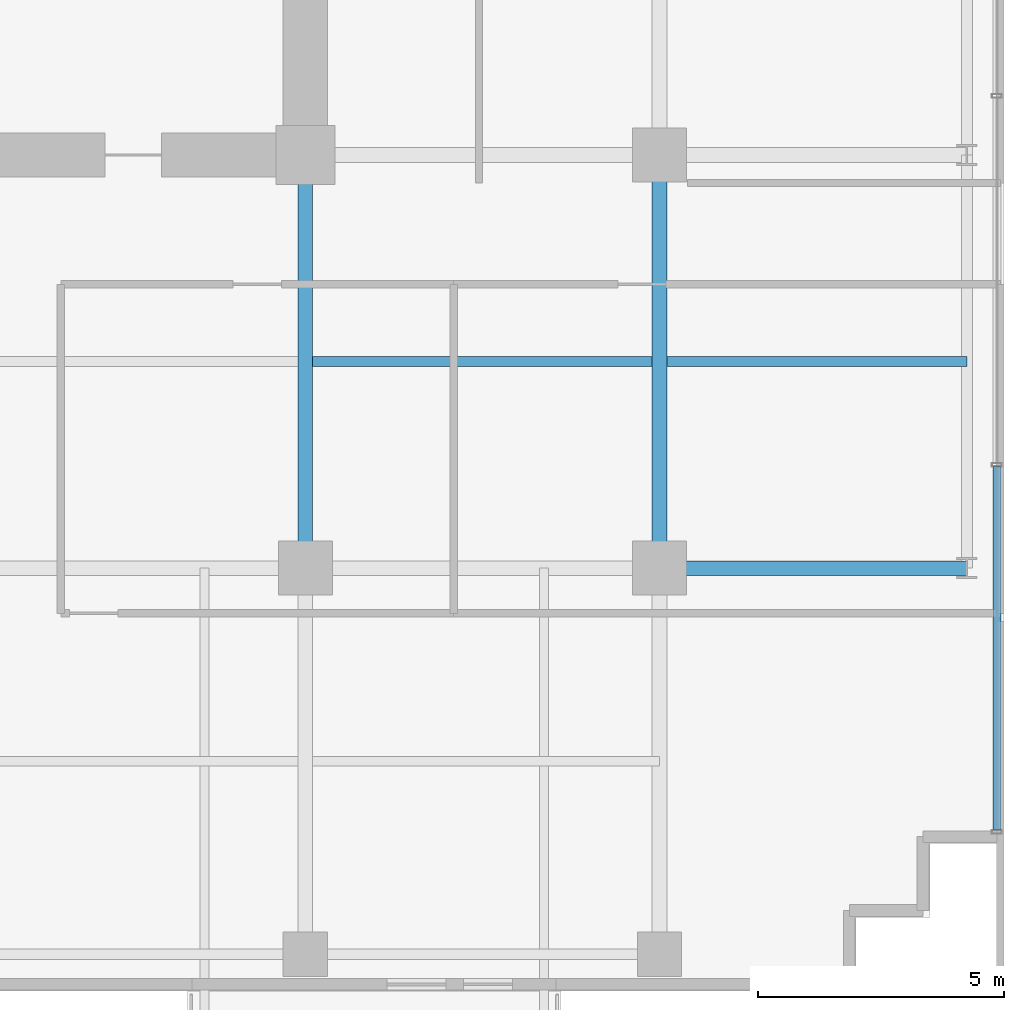
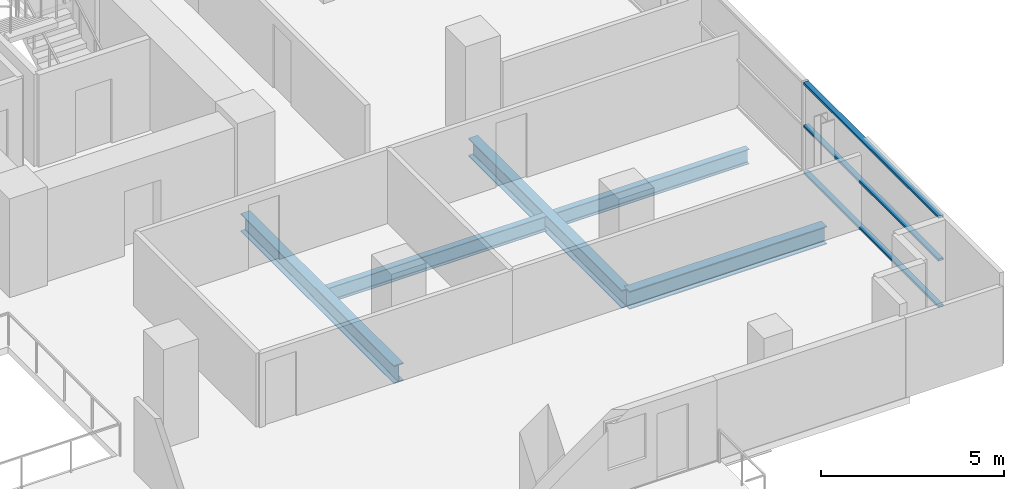
# One storey, part 12 of 30: 5 beams, 3 members, 1 element without a shape of its own.
"""IFC4 building model written with IfcOpenShell, lengths in metres."""

from ifc_helpers import new_model, si_unit, direction, frame, origin, origin_2d, place, context, subcontext, project, spatial, hollow_rectangle, i_section, extrude, source, transform, mapped, material, layer, layer_set, material_profile, profile_set, type_object, element, aggregate, save


model = new_model("IFC4")

# Units and contexts
model_context = context("Model", 3, precision=1e-05, world=origin(), true_north=direction((0.0, 1.0)))
body_context = subcontext(model_context, "Body", "Model", "MODEL_VIEW")
ifc_project = project(units=[si_unit("LENGTHUNIT", "METRE"), si_unit("AREAUNIT", "SQUARE_METRE"), si_unit("VOLUMEUNIT", "CUBIC_METRE"), si_unit("PLANEANGLEUNIT", "RADIAN"), si_unit("MASSUNIT", "GRAM", prefix="KILO")], contexts=[model_context])

# Site, building, storey
site_placement = place(None, origin())
site = spatial("IfcSite", under=ifc_project, at=site_placement, CompositionType="ELEMENT")
building_placement = place(site_placement, origin())
building = spatial("IfcBuilding", under=site, at=building_placement, Name="Zarnakvel Exchange Tower", CompositionType="ELEMENT")
storey_placement = place(building_placement, frame((0.0, 0.0, 34.0)))
storey = spatial("IfcBuildingStorey", under=building, at=storey_placement, Name="L08", CompositionType="ELEMENT", Elevation=34.0)

# Beams
ifc_material_1 = material(Name="Steel S355", Category="steel")
ifc_material_profile_1 = material_profile(ifc_material_1, i_section(OverallWidth=0.199951171875, OverallDepth=0.5, WebThickness=0.01025390625, FlangeThickness=0.01611328125, FilletRadius=0.02099609375, at=origin_2d()))
ifc_profile_set_1 = profile_set([ifc_material_profile_1], Name="Steel S355")
beam_type_1 = type_object("IfcBeamType", Name="B-04", PredefinedType="JOIST", material=ifc_profile_set_1)
beam_1_placement = place(storey_placement, frame((14.550048828125, -5.39990234375, -0.47509765625), z_axis=(1.0, 0.0, 0.0), x_axis=(0.0, 1.0, 0.0)))
element("IfcBeam", 1, at=beam_1_placement, inside=storey, type_object=beam_type_1, Name="L08 Composite Floor Secondary Joist", PredefinedType="JOIST", context=body_context, shape_type="SweptSolid", body=[
    extrude(i_section(OverallWidth=0.199951171875, OverallDepth=0.5, WebThickness=0.01025390625, FlangeThickness=0.01611328125, FilletRadius=0.02099609375, at=origin_2d()), origin(), (0.0, 0.0, 1.0), 6.89990234375),
])
beam_2_placement = place(storey_placement, frame((21.75, -5.39990234375, -0.47509765625), z_axis=(1.0, 0.0, 0.0), x_axis=(0.0, 1.0, 0.0)))
element("IfcBeam", 2, at=beam_2_placement, inside=storey, type_object=beam_type_1, Name="L08 Composite Floor Secondary Joist", PredefinedType="JOIST", context=body_context, shape_type="SweptSolid", body=[
    extrude(i_section(OverallWidth=0.199951171875, OverallDepth=0.5, WebThickness=0.01025390625, FlangeThickness=0.01611328125, FilletRadius=0.02099609375, at=origin_2d()), origin(), (0.0, 0.0, 1.0), 6.10009765625),
])
ifc_material_profile_2 = material_profile(ifc_material_1, i_section(OverallWidth=0.300048828125, OverallDepth=0.60009765625, WebThickness=0.015380859375, FlangeThickness=0.030029296875, FilletRadius=0.027099609375, at=origin_2d()))
ifc_profile_set_2 = profile_set([ifc_material_profile_2], Name="Steel S355")
beam_type_2 = type_object("IfcBeamType", Name="G-04", PredefinedType="BEAM", material=ifc_profile_set_2)
beam_3_placement = place(storey_placement, frame((21.60009765625, -9.60009765625, -0.52490234375), z_axis=(1.0, 0.0, 0.0), x_axis=(0.0, 1.0, 0.0)))
element("IfcBeam", 3, at=beam_3_placement, inside=storey, type_object=beam_type_2, Name="L08 Tower E-W Frame Beam", PredefinedType="BEAM", context=body_context, shape_type="SweptSolid", body=[
    extrude(i_section(OverallWidth=0.300048828125, OverallDepth=0.60009765625, WebThickness=0.015380859375, FlangeThickness=0.030029296875, FilletRadius=0.027099609375, at=origin_2d()), origin(), (0.0, 0.0, 1.0), 6.25),
])
for number, where, z_axis, x_axis, name in (
    (4, (14.39990234375, -9.60009765625, -0.52490234375), (0.0, 1.0, 0.0), (-1.0, 0.0, 0.0), "L08 Tower N-S Frame Beam"),
    (5, (21.60009765625, -9.60009765625, -0.52490234375), (0.0, 1.0, 0.0), (-1.0, 0.0, 0.0), "L08 Tower N-S Frame Beam"),
):
    element("IfcBeam", number, at=place(storey_placement, frame(where, z_axis=z_axis, x_axis=x_axis)), inside=storey, type_object=beam_type_2, Name=name, PredefinedType="BEAM", context=body_context, shape_type="SweptSolid", body=[
        extrude(i_section(OverallWidth=0.300048828125, OverallDepth=0.60009765625, WebThickness=0.015380859375, FlangeThickness=0.030029296875, FilletRadius=0.027099609375, at=origin_2d()), origin(), (0.0, 0.0, 1.0), 8.400146484375),
    ])

# Curtain wall, members
ifc_material_2 = material(Name="Architectural Bronze Anodised Aluminium", Category="aluminium")
ifc_layer = layer(ifc_material_2, 0.199951171875)
ifc_layer_set = layer_set([ifc_layer], Name="Architectural Bronze Anodised Aluminium")
curtain_wall_type = type_object("IfcCurtainWallType", Name="CW-04", PredefinedType="NOTDEFINED", material=ifc_layer_set)
curtain_wall_placement = place(storey_placement, origin())
curtain_wall = element("IfcCurtainWall", 6, at=curtain_wall_placement, inside=storey, type_object=curtain_wall_type, Name="L08 Curtain Wall CW-L08-E1 (CW-04)", PredefinedType="NOTDEFINED")
ifc_material_profile_3 = material_profile(ifc_material_2, hollow_rectangle(XDim=0.159912109375, YDim=0.074951171875, WallThickness=0.00390625, at=origin_2d()))
ifc_profile_set_3 = profile_set([ifc_material_profile_3], Name="Architectural Bronze Anodised Aluminium")
member_type = type_object("IfcMemberType", Name="CWT-04", PredefinedType="USERDEFINED", material=ifc_profile_set_3)
shared_shape = source(origin(), body_context, "Body", "SweptSolid", [
    extrude(hollow_rectangle(XDim=0.159912109375, YDim=0.074951171875, WallThickness=0.00390625, at=origin_2d()), origin(), (0.0, 0.0, 1.0), 7.387451171875),
])
member_1_placement = place(storey_placement, frame((28.4599609375, -14.925048828125, 0.03759765625), z_axis=(0.0, 1.0, 0.0), x_axis=(-1.0, 0.0, 0.0)))
member_1 = element("IfcMember", 7, at=member_1_placement, type_object=member_type, Name="CW-04 transom 1.1", ObjectType="TRANSOM", PredefinedType="USERDEFINED", context=body_context, shape_type="MappedRepresentation", body=[
    mapped(shared_shape, transform((0.0, 0.0, 0.0), x_axis=(1.0, 0.0, 0.0), y_axis=(0.0, 1.0, 0.0), z_axis=(0.0, 0.0, 1.0), scale=1.0)),
])
member_2_placement = place(storey_placement, frame((28.4599609375, -14.925048828125, 1.588623046875), z_axis=(0.0, 1.0, 0.0), x_axis=(-1.0, 0.0, 0.0)))
member_2 = element("IfcMember", 8, at=member_2_placement, type_object=member_type, Name="CW-04 transom 1.2", ObjectType="TRANSOM", PredefinedType="USERDEFINED", context=body_context, shape_type="MappedRepresentation", body=[
    mapped(shared_shape, transform((0.0, 0.0, 0.0), x_axis=(1.0, 0.0, 0.0), y_axis=(0.0, 1.0, 0.0), z_axis=(0.0, 0.0, 1.0), scale=1.0)),
])
member_3_placement = place(storey_placement, frame((28.4599609375, -14.925048828125, 3.017578125), z_axis=(0.0, 1.0, 0.0), x_axis=(-1.0, 0.0, 0.0)))
member_3 = element("IfcMember", 9, at=member_3_placement, type_object=member_type, Name="CW-04 transom 1.3", ObjectType="TRANSOM", PredefinedType="USERDEFINED", context=body_context, shape_type="MappedRepresentation", body=[
    mapped(shared_shape, transform((0.0, 0.0, 0.0), x_axis=(1.0, 0.0, 0.0), y_axis=(0.0, 1.0, 0.0), z_axis=(0.0, 0.0, 1.0), scale=1.0)),
])
aggregate(curtain_wall, [member_1, member_2, member_3])

save(model, "model.ifc")
